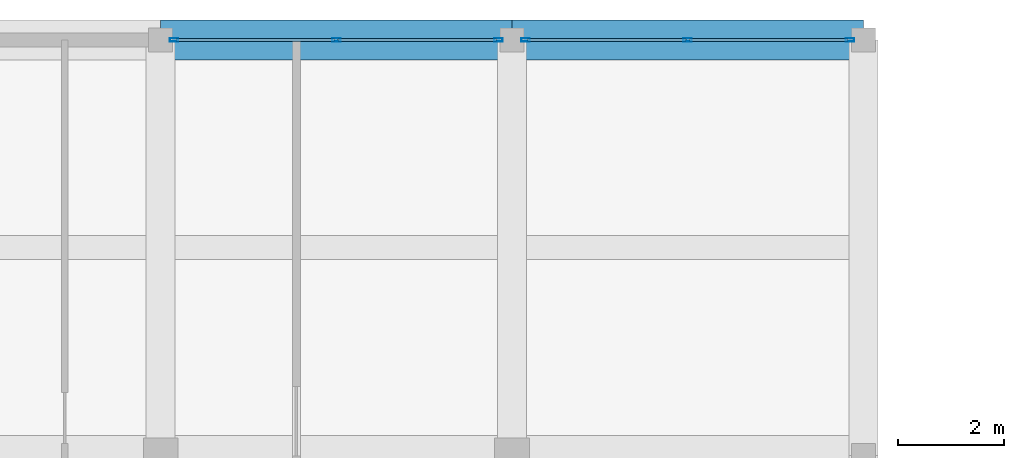
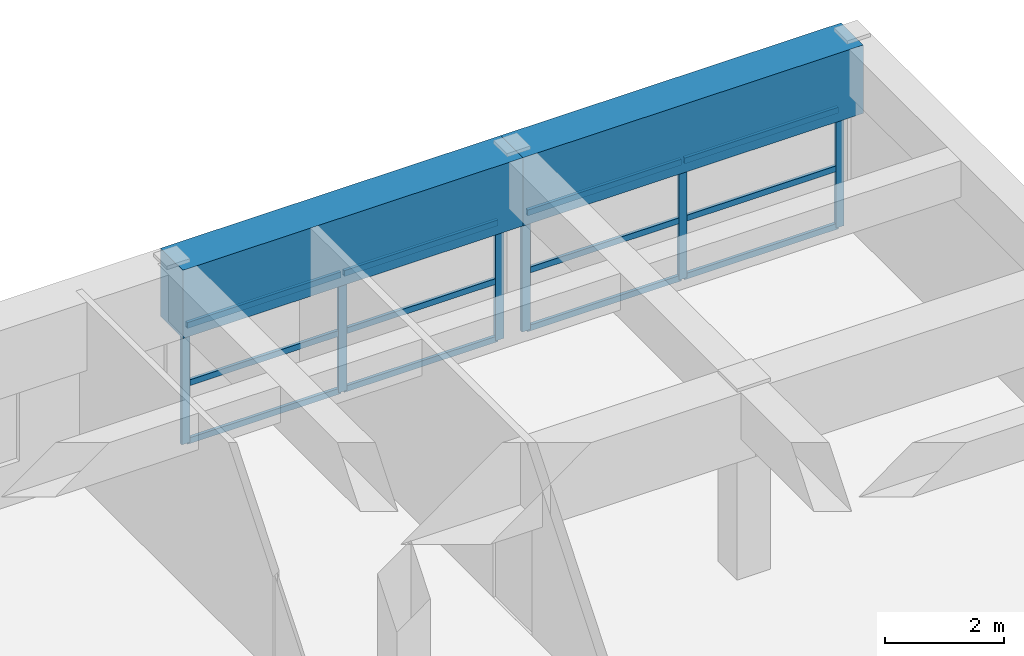
# One storey, part 111 of 157: 18 members, 2 beams, 2 elements without a shape of their own.
"""IFC4 building model written with IfcOpenShell, lengths in metres."""

from ifc_helpers import new_model, si_unit, direction, frame, origin, origin_2d, place, context, subcontext, project, spatial, rectangle, hollow_rectangle, extrude, material, material_profile, profile_set, type_object, element, aggregate, save


model = new_model("IFC4")

# Units and contexts
model_context = context("Model", 3, precision=1e-05, world=origin(), true_north=direction((0.0, 1.0)))
body_context = subcontext(model_context, "Body", "Model", "MODEL_VIEW")
ifc_project = project(units=[si_unit("LENGTHUNIT", "METRE"), si_unit("AREAUNIT", "SQUARE_METRE"), si_unit("VOLUMEUNIT", "CUBIC_METRE"), si_unit("PLANEANGLEUNIT", "RADIAN"), si_unit("MASSUNIT", "GRAM", prefix="KILO")], contexts=[model_context])

# Site, building, storey
site_placement = place(None, origin())
site = spatial("IfcSite", under=ifc_project, at=site_placement, CompositionType="ELEMENT")
building_placement = place(site_placement, origin())
building = spatial("IfcBuilding", under=site, at=building_placement, Name="Karori Crest Natural Sciences Institute", CompositionType="ELEMENT")
storey_placement = place(building_placement, frame((0.0, 0.0, 13.300048828125)))
storey = spatial("IfcBuildingStorey", under=building, at=storey_placement, Name="L03", CompositionType="ELEMENT", Elevation=13.300048828125)

# Beams
ifc_material_1 = material(Name="Concrete 50 MPa", Category="concrete")
ifc_material_profile_1 = material_profile(ifc_material_1, rectangle(XDim=0.75, YDim=1.39990234375, at=origin_2d()), Name="RCB750x1400")
ifc_profile_set_1 = profile_set([ifc_material_profile_1], Name="Concrete 50 MPa")
beam_type = type_object("IfcBeamType", Name="BT-17", PredefinedType="BEAM", material=ifc_profile_set_1)
beam_1_placement = place(storey_placement, frame((14.0, 162.199951171875, 3.14990234375), z_axis=(1.0, 0.0, 0.0), x_axis=(0.0, 1.0, 0.0)))
element("IfcBeam", 1, at=beam_1_placement, inside=storey, type_object=beam_type, Name="Beam B-1677", PredefinedType="BEAM", context=body_context, shape_type="SweptSolid", body=[
    extrude(rectangle(XDim=0.75, YDim=1.39990234375, at=origin_2d()), origin(), (0.0, 0.0, 1.0), 6.60009765625),
])
beam_2_placement = place(storey_placement, frame((20.60009765625, 162.199951171875, 3.14990234375), z_axis=(1.0, 0.0, 0.0), x_axis=(0.0, 1.0, 0.0)))
element("IfcBeam", 2, at=beam_2_placement, inside=storey, type_object=beam_type, Name="Beam B-1678", PredefinedType="BEAM", context=body_context, shape_type="SweptSolid", body=[
    extrude(rectangle(XDim=0.75, YDim=1.39990234375, at=origin_2d()), origin(), (0.0, 0.0, 1.0), 6.599853515625),
])

# Curtain wall, members
ifc_material_2 = material(Name="Anodised architectural aluminium 6063-T6", Category="aluminium")
curtain_wall_type = type_object("IfcCurtainWallType", Name="CWT-19", PredefinedType="NOTDEFINED", material=ifc_material_2)
curtain_wall_1_placement = place(storey_placement, origin())
curtain_wall_1 = element("IfcCurtainWall", 3, at=curtain_wall_1_placement, inside=storey, type_object=curtain_wall_type, Name="Curtain wall CW-0292", PredefinedType="NOTDEFINED")
ifc_material_profile_2 = material_profile(ifc_material_2, hollow_rectangle(XDim=0.06494140625, YDim=0.159912109375, WallThickness=0.00390625, at=origin_2d()), Name="CWM160x65x4")
ifc_profile_set_2 = profile_set([ifc_material_profile_2], Name="Anodised architectural aluminium 6063-T6")
member_type_1 = type_object("IfcMemberType", Name="CWM-01", PredefinedType="MULLION", material=ifc_profile_set_2)
member_1_placement = place(storey_placement, frame((14.255615234375, 162.199951171875, 0.0), z_axis=(0.0, 0.0, 1.0), x_axis=(0.0, 1.0, 0.0)))
member_1 = element("IfcMember", 4, at=member_1_placement, type_object=member_type_1, Name="CW-0292 mullion 1", PredefinedType="MULLION", context=body_context, shape_type="SweptSolid", body=[
    extrude(hollow_rectangle(XDim=0.06494140625, YDim=0.159912109375, WallThickness=0.00390625, at=origin_2d()), origin(), (0.0, 0.0, 1.0), 2.43505859375),
])
member_2_placement = place(storey_placement, frame((17.300048828125, 162.199951171875, 0.0), z_axis=(0.0, 0.0, 1.0), x_axis=(0.0, 1.0, 0.0)))
member_2 = element("IfcMember", 5, at=member_2_placement, type_object=member_type_1, Name="CW-0292 mullion 2", PredefinedType="MULLION", context=body_context, shape_type="SweptSolid", body=[
    extrude(hollow_rectangle(XDim=0.06494140625, YDim=0.159912109375, WallThickness=0.00390625, at=origin_2d()), origin(), (0.0, 0.0, 1.0), 2.43505859375),
])
member_3_placement = place(storey_placement, frame((20.344482421875, 162.199951171875, 0.0), z_axis=(0.0, 0.0, 1.0), x_axis=(0.0, 1.0, 0.0)))
member_3 = element("IfcMember", 6, at=member_3_placement, type_object=member_type_1, Name="CW-0292 mullion 3", PredefinedType="MULLION", context=body_context, shape_type="SweptSolid", body=[
    extrude(hollow_rectangle(XDim=0.06494140625, YDim=0.159912109375, WallThickness=0.00390625, at=origin_2d()), origin(), (0.0, 0.0, 1.0), 2.43505859375),
])

curtain_wall_2_placement = place(storey_placement, origin())
curtain_wall_2 = element("IfcCurtainWall", 7, at=curtain_wall_2_placement, inside=storey, type_object=curtain_wall_type, Name="Curtain wall CW-0293", PredefinedType="NOTDEFINED")
member_4_placement = place(storey_placement, frame((20.85546875, 162.199951171875, 0.0), z_axis=(0.0, 0.0, 1.0), x_axis=(0.0, 1.0, 0.0)))
member_4 = element("IfcMember", 8, at=member_4_placement, type_object=member_type_1, Name="CW-0293 mullion 1", PredefinedType="MULLION", context=body_context, shape_type="SweptSolid", body=[
    extrude(hollow_rectangle(XDim=0.06494140625, YDim=0.159912109375, WallThickness=0.00390625, at=origin_2d()), origin(), (0.0, 0.0, 1.0), 2.43505859375),
])
member_5_placement = place(storey_placement, frame((23.89990234375, 162.199951171875, 0.0), z_axis=(0.0, 0.0, 1.0), x_axis=(0.0, 1.0, 0.0)))
member_5 = element("IfcMember", 9, at=member_5_placement, type_object=member_type_1, Name="CW-0293 mullion 2", PredefinedType="MULLION", context=body_context, shape_type="SweptSolid", body=[
    extrude(hollow_rectangle(XDim=0.06494140625, YDim=0.159912109375, WallThickness=0.00390625, at=origin_2d()), origin(), (0.0, 0.0, 1.0), 2.43505859375),
])
member_6_placement = place(storey_placement, frame((26.944580078125, 162.199951171875, 0.0), z_axis=(0.0, 0.0, 1.0), x_axis=(0.0, 1.0, 0.0)))
member_6 = element("IfcMember", 10, at=member_6_placement, type_object=member_type_1, Name="CW-0293 mullion 3", PredefinedType="MULLION", context=body_context, shape_type="SweptSolid", body=[
    extrude(hollow_rectangle(XDim=0.06494140625, YDim=0.159912109375, WallThickness=0.00390625, at=origin_2d()), origin(), (0.0, 0.0, 1.0), 2.43505859375),
])

# Member
ifc_material_profile_3 = material_profile(ifc_material_2, hollow_rectangle(XDim=0.06005859375, YDim=0.1201171875, WallThickness=0.00390625, at=origin_2d()), Name="CWT120x60x4")
ifc_profile_set_3 = profile_set([ifc_material_profile_3], Name="Anodised architectural aluminium 6063-T6")
member_type_2 = type_object("IfcMemberType", Name="CWT-TR1", PredefinedType="USERDEFINED", material=ifc_profile_set_3)
member_7_placement = place(storey_placement, frame((14.2880859375, 162.199951171875, 0.030029296875), z_axis=(1.0, 0.0, 0.0), x_axis=(0.0, 1.0, 0.0)))
member_7 = element("IfcMember", 11, at=member_7_placement, type_object=member_type_2, Name="CW-0292 transom 1.1", ObjectType="TRANSOM", PredefinedType="USERDEFINED", context=body_context, shape_type="SweptSolid", body=[
    extrude(hollow_rectangle(XDim=0.06005859375, YDim=0.1201171875, WallThickness=0.00390625, at=origin_2d()), origin(), (0.0, 0.0, 1.0), 2.9794921875),
])

member_8_placement = place(storey_placement, frame((14.2880859375, 162.199951171875, 1.217529296875), z_axis=(1.0, 0.0, 0.0), x_axis=(0.0, 1.0, 0.0)))
member_8 = element("IfcMember", 12, at=member_8_placement, type_object=member_type_2, Name="CW-0292 transom 1.2", ObjectType="TRANSOM", PredefinedType="USERDEFINED", context=body_context, shape_type="SweptSolid", body=[
    extrude(hollow_rectangle(XDim=0.06005859375, YDim=0.1201171875, WallThickness=0.00390625, at=origin_2d()), origin(), (0.0, 0.0, 1.0), 2.9794921875),
])

member_9_placement = place(storey_placement, frame((14.2880859375, 162.199951171875, 2.405029296875), z_axis=(1.0, 0.0, 0.0), x_axis=(0.0, 1.0, 0.0)))
member_9 = element("IfcMember", 13, at=member_9_placement, type_object=member_type_2, Name="CW-0292 transom 1.3", ObjectType="TRANSOM", PredefinedType="USERDEFINED", context=body_context, shape_type="SweptSolid", body=[
    extrude(hollow_rectangle(XDim=0.06005859375, YDim=0.1201171875, WallThickness=0.00390625, at=origin_2d()), origin(), (0.0, 0.0, 1.0), 2.9794921875),
])

member_10_placement = place(storey_placement, frame((17.33251953125, 162.199951171875, 0.030029296875), z_axis=(1.0, 0.0, 0.0), x_axis=(0.0, 1.0, 0.0)))
member_10 = element("IfcMember", 14, at=member_10_placement, type_object=member_type_2, Name="CW-0292 transom 2.1", ObjectType="TRANSOM", PredefinedType="USERDEFINED", context=body_context, shape_type="SweptSolid", body=[
    extrude(hollow_rectangle(XDim=0.06005859375, YDim=0.1201171875, WallThickness=0.00390625, at=origin_2d()), origin(), (0.0, 0.0, 1.0), 2.9794921875),
])

member_11_placement = place(storey_placement, frame((17.33251953125, 162.199951171875, 1.217529296875), z_axis=(1.0, 0.0, 0.0), x_axis=(0.0, 1.0, 0.0)))
member_11 = element("IfcMember", 15, at=member_11_placement, type_object=member_type_2, Name="CW-0292 transom 2.2", ObjectType="TRANSOM", PredefinedType="USERDEFINED", context=body_context, shape_type="SweptSolid", body=[
    extrude(hollow_rectangle(XDim=0.06005859375, YDim=0.1201171875, WallThickness=0.00390625, at=origin_2d()), origin(), (0.0, 0.0, 1.0), 2.9794921875),
])

member_12_placement = place(storey_placement, frame((17.33251953125, 162.199951171875, 2.405029296875), z_axis=(1.0, 0.0, 0.0), x_axis=(0.0, 1.0, 0.0)))
member_12 = element("IfcMember", 16, at=member_12_placement, type_object=member_type_2, Name="CW-0292 transom 2.3", ObjectType="TRANSOM", PredefinedType="USERDEFINED", context=body_context, shape_type="SweptSolid", body=[
    extrude(hollow_rectangle(XDim=0.06005859375, YDim=0.1201171875, WallThickness=0.00390625, at=origin_2d()), origin(), (0.0, 0.0, 1.0), 2.9794921875),
])

aggregate(curtain_wall_1, [member_1, member_2, member_3, member_7, member_8, member_9, member_10, member_11, member_12])

member_13_placement = place(storey_placement, frame((20.887939453125, 162.199951171875, 0.030029296875), z_axis=(1.0, 0.0, 0.0), x_axis=(0.0, 1.0, 0.0)))
member_13 = element("IfcMember", 17, at=member_13_placement, type_object=member_type_2, Name="CW-0293 transom 1.1", ObjectType="TRANSOM", PredefinedType="USERDEFINED", context=body_context, shape_type="SweptSolid", body=[
    extrude(hollow_rectangle(XDim=0.06005859375, YDim=0.1201171875, WallThickness=0.00390625, at=origin_2d()), origin(), (0.0, 0.0, 1.0), 2.9794921875),
])

member_14_placement = place(storey_placement, frame((20.887939453125, 162.199951171875, 1.217529296875), z_axis=(1.0, 0.0, 0.0), x_axis=(0.0, 1.0, 0.0)))
member_14 = element("IfcMember", 18, at=member_14_placement, type_object=member_type_2, Name="CW-0293 transom 1.2", ObjectType="TRANSOM", PredefinedType="USERDEFINED", context=body_context, shape_type="SweptSolid", body=[
    extrude(hollow_rectangle(XDim=0.06005859375, YDim=0.1201171875, WallThickness=0.00390625, at=origin_2d()), origin(), (0.0, 0.0, 1.0), 2.9794921875),
])

member_15_placement = place(storey_placement, frame((20.887939453125, 162.199951171875, 2.405029296875), z_axis=(1.0, 0.0, 0.0), x_axis=(0.0, 1.0, 0.0)))
member_15 = element("IfcMember", 19, at=member_15_placement, type_object=member_type_2, Name="CW-0293 transom 1.3", ObjectType="TRANSOM", PredefinedType="USERDEFINED", context=body_context, shape_type="SweptSolid", body=[
    extrude(hollow_rectangle(XDim=0.06005859375, YDim=0.1201171875, WallThickness=0.00390625, at=origin_2d()), origin(), (0.0, 0.0, 1.0), 2.9794921875),
])

member_16_placement = place(storey_placement, frame((23.9326171875, 162.199951171875, 0.030029296875), z_axis=(1.0, 0.0, 0.0), x_axis=(0.0, 1.0, 0.0)))
member_16 = element("IfcMember", 20, at=member_16_placement, type_object=member_type_2, Name="CW-0293 transom 2.1", ObjectType="TRANSOM", PredefinedType="USERDEFINED", context=body_context, shape_type="SweptSolid", body=[
    extrude(hollow_rectangle(XDim=0.06005859375, YDim=0.1201171875, WallThickness=0.00390625, at=origin_2d()), origin(), (0.0, 0.0, 1.0), 2.9794921875),
])

member_17_placement = place(storey_placement, frame((23.9326171875, 162.199951171875, 1.217529296875), z_axis=(1.0, 0.0, 0.0), x_axis=(0.0, 1.0, 0.0)))
member_17 = element("IfcMember", 21, at=member_17_placement, type_object=member_type_2, Name="CW-0293 transom 2.2", ObjectType="TRANSOM", PredefinedType="USERDEFINED", context=body_context, shape_type="SweptSolid", body=[
    extrude(hollow_rectangle(XDim=0.06005859375, YDim=0.1201171875, WallThickness=0.00390625, at=origin_2d()), origin(), (0.0, 0.0, 1.0), 2.9794921875),
])

member_18_placement = place(storey_placement, frame((23.9326171875, 162.199951171875, 2.405029296875), z_axis=(1.0, 0.0, 0.0), x_axis=(0.0, 1.0, 0.0)))
member_18 = element("IfcMember", 22, at=member_18_placement, type_object=member_type_2, Name="CW-0293 transom 2.3", ObjectType="TRANSOM", PredefinedType="USERDEFINED", context=body_context, shape_type="SweptSolid", body=[
    extrude(hollow_rectangle(XDim=0.06005859375, YDim=0.1201171875, WallThickness=0.00390625, at=origin_2d()), origin(), (0.0, 0.0, 1.0), 2.9794921875),
])

aggregate(curtain_wall_2, [member_4, member_5, member_6, member_13, member_14, member_15, member_16, member_17, member_18])

save(model, "model.ifc")
